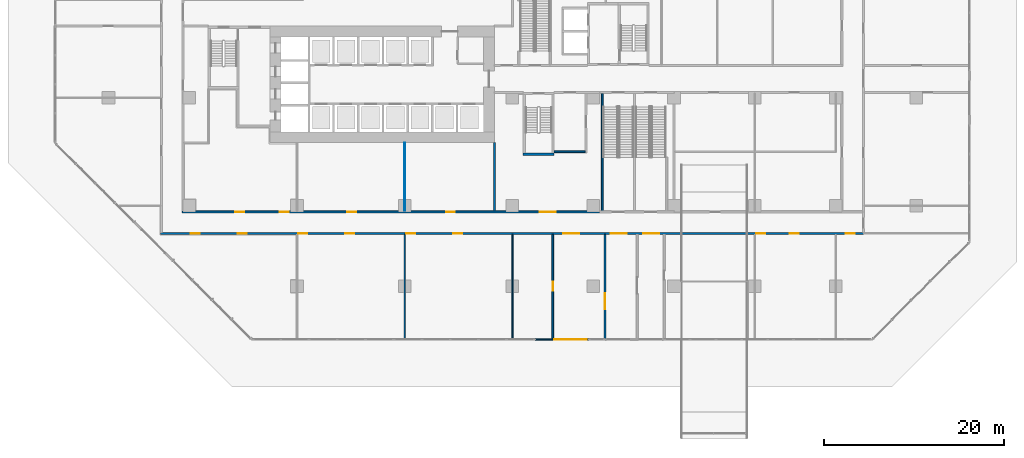
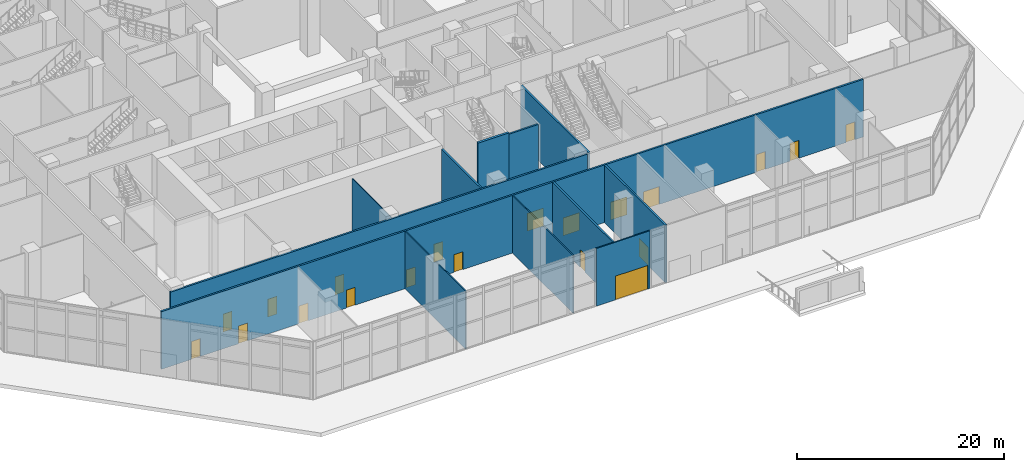
# One storey, part 17 of 34: 20 doors, 12 walls, 20 openings.
"""IFC4 building model written with IfcOpenShell, lengths in metres."""

from ifc_helpers import new_model, si_unit, direction, frame, frame_2d, origin, place, context, subcontext, project, spatial, rectangle, extrude, material, layer, layer_set, type_object, element, fill, save


model = new_model("IFC4")

# Units and contexts
model_context = context("Model", 3, precision=1e-05, world=origin(), true_north=direction((0.0, 1.0)))
body_context = subcontext(model_context, "Body", "Model", "MODEL_VIEW")
ifc_project = project(units=[si_unit("LENGTHUNIT", "METRE"), si_unit("AREAUNIT", "SQUARE_METRE"), si_unit("VOLUMEUNIT", "CUBIC_METRE"), si_unit("PLANEANGLEUNIT", "RADIAN"), si_unit("MASSUNIT", "GRAM", prefix="KILO")], contexts=[model_context])

# Site, building, storey
site_placement = place(None, origin())
site = spatial("IfcSite", under=ifc_project, at=site_placement, CompositionType="ELEMENT")
building_placement = place(site_placement, origin())
building = spatial("IfcBuilding", under=site, at=building_placement, Name="Chenar Terraces", CompositionType="ELEMENT")
storey_placement = place(building_placement, origin())
storey = spatial("IfcBuildingStorey", under=building, at=storey_placement, Name="L00", CompositionType="ELEMENT", Elevation=0.0)

# Walls
ifc_material_1 = material(Name="Gypsum board on steel studs with mineral wool", Category="steel")
ifc_layer_1 = layer(ifc_material_1, 0.125)
ifc_layer_set_1 = layer_set([ifc_layer_1], Name="Gypsum board on steel studs with mineral wool")
wall_type_1 = type_object("IfcWallType", Name="Acoustic partition 125", PredefinedType="PARTITIONING", material=ifc_layer_set_1)
for number, where, z_axis, x_axis, name in (
    (1, (24.0, -14.925048828125, 0.0), (0.0, 0.0, 1.0), (0.0, 1.0, 0.0), "Partition L00-075"),
    (2, (36.0, -14.925048828125, 0.0), (0.0, 0.0, 1.0), (0.0, 1.0, 0.0), "Partition L00-088"),
):
    element("IfcWall", number, at=place(storey_placement, frame(where, z_axis=z_axis, x_axis=x_axis)), inside=storey, type_object=wall_type_1, Name=name, PredefinedType="PARTITIONING", context=body_context, shape_type="SweptSolid", body=[
        extrude(rectangle(XDim=11.72509765625, YDim=0.125, at=frame_2d((5.862548828125, 0.0))), origin(), (0.0, 0.0, 1.0), 6.800048828125),
    ])
ifc_material_2 = material(Name="Concrete C70/85", Category="concrete")
ifc_layer_2 = layer(ifc_material_2, 0.25)
ifc_layer_set_2 = layer_set([ifc_layer_2], Name="Concrete C70/85")
wall_type_2 = type_object("IfcWallType", Name="Core wall 250 Concrete C70/85", PredefinedType="SHEAR", material=ifc_layer_set_2)
wall_1_placement = place(storey_placement, frame((37.199951171875, 5.72509765625, 0.0), z_axis=(0.0, 0.0, 1.0), x_axis=(1.0, 0.0, 0.0)))
element("IfcWall", 3, at=wall_1_placement, inside=storey, type_object=wall_type_2, Name="Core wall ST2_S L00", PredefinedType="SHEAR", context=body_context, shape_type="SweptSolid", body=[
    extrude(rectangle(XDim=3.449951171875, YDim=0.25, at=frame_2d((1.72509765625, 0.0))), origin(), (0.0, 0.0, 1.0), 7.199951171875),
])

# Wall, openings, doors
ifc_material_3 = material(Name="Gypsum board on steel studs with fire boards", Category="steel")
ifc_layer_3 = layer(ifc_material_3, 0.199951171875)
ifc_layer_set_3 = layer_set([ifc_layer_3], Name="Gypsum board on steel studs with fire boards")
wall_type_3 = type_object("IfcWallType", Name="Corridor wall 200", PredefinedType="PARTITIONING", material=ifc_layer_set_3)
wall_2_placement = place(storey_placement, frame((-3.199951171875, -3.10009765625, 0.0), z_axis=(0.0, 0.0, 1.0), x_axis=(1.0, 0.0, 0.0)))
wall_2 = element("IfcWall", 4, at=wall_2_placement, inside=storey, type_object=wall_type_3, Name="Partition L00-015", PredefinedType="PARTITIONING", context=body_context, shape_type="SweptSolid", body=[
    extrude(rectangle(XDim=78.300048828125, YDim=0.199951171875, at=frame_2d((39.14990234375, 0.0))), origin(), (0.0, 0.0, 1.0), 6.800048828125),
])
opening_1_placement = place(wall_2_placement, frame((70.10009765625, 0.0, 0.0)))
opening_1 = element("IfcOpeningElement", 5, at=opening_1_placement, cuts=wall_2, Name="Opening DL00-62", PredefinedType="OPENING", context=body_context, shape_type="SweptSolid", body=[
    extrude(rectangle(XDim=1.0, YDim=2.10009765625, at=frame_2d((0.5, 1.050048828125))), frame((0.0, 0.10986328125, 0.0), z_axis=(0.0, -1.0, 0.0), x_axis=(1.0, 0.0, 0.0)), (0.0, 0.0, 1.0), 0.219970703125),
])
opening_2_placement = place(wall_2_placement, frame((66.35009765625, 0.0, 0.0)))
opening_2 = element("IfcOpeningElement", 6, at=opening_2_placement, cuts=wall_2, Name="Opening DL00-63", PredefinedType="OPENING", context=body_context, shape_type="SweptSolid", body=[
    extrude(rectangle(XDim=1.0, YDim=2.10009765625, at=frame_2d((0.5, 1.050048828125))), frame((0.0, 0.10986328125, 0.0), z_axis=(0.0, -1.0, 0.0), x_axis=(1.0, 0.0, 0.0)), (0.0, 0.0, 1.0), 0.219970703125),
])
opening_3_placement = place(wall_2_placement, frame((76.35009765625, 0.0, 0.0)))
opening_3 = element("IfcOpeningElement", 7, at=opening_3_placement, cuts=wall_2, Name="Opening DL00-64", PredefinedType="OPENING", context=body_context, shape_type="SweptSolid", body=[
    extrude(rectangle(XDim=1.0, YDim=2.10009765625, at=frame_2d((0.5, 1.050048828125))), frame((0.0, 0.10986328125, 0.0), z_axis=(0.0, -1.0, 0.0), x_axis=(1.0, 0.0, 0.0)), (0.0, 0.0, 1.0), 0.219970703125),
])
opening_4_placement = place(wall_2_placement, frame((8.60009765625, 0.0, 0.0)))
opening_4 = element("IfcOpeningElement", 8, at=opening_4_placement, cuts=wall_2, Name="Opening DL00-65", PredefinedType="OPENING", context=body_context, shape_type="SweptSolid", body=[
    extrude(rectangle(XDim=1.0, YDim=2.10009765625, at=frame_2d((0.5, 1.050048828125))), frame((0.0, 0.10986328125, 0.0), z_axis=(0.0, -1.0, 0.0), x_axis=(1.0, 0.0, 0.0)), (0.0, 0.0, 1.0), 0.219970703125),
])
opening_5_placement = place(wall_2_placement, frame((3.35009765625, 0.0, 0.0)))
opening_5 = element("IfcOpeningElement", 9, at=opening_5_placement, cuts=wall_2, Name="Opening DL00-66", PredefinedType="OPENING", context=body_context, shape_type="SweptSolid", body=[
    extrude(rectangle(XDim=1.0, YDim=2.10009765625, at=frame_2d((0.5, 1.050048828125))), frame((0.0, 0.10986328125, 0.0), z_axis=(0.0, -1.0, 0.0), x_axis=(1.0, 0.0, 0.0)), (0.0, 0.0, 1.0), 0.219970703125),
])
opening_6_placement = place(wall_2_placement, frame((20.60009765625, 0.0, 0.0)))
opening_6 = element("IfcOpeningElement", 10, at=opening_6_placement, cuts=wall_2, Name="Opening DL00-67", PredefinedType="OPENING", context=body_context, shape_type="SweptSolid", body=[
    extrude(rectangle(XDim=1.0, YDim=2.10009765625, at=frame_2d((0.5, 1.050048828125))), frame((0.0, 0.10986328125, 0.0), z_axis=(0.0, -1.0, 0.0), x_axis=(1.0, 0.0, 0.0)), (0.0, 0.0, 1.0), 0.219970703125),
])
opening_7_placement = place(wall_2_placement, frame((15.35009765625, 0.0, 0.0)))
opening_7 = element("IfcOpeningElement", 11, at=opening_7_placement, cuts=wall_2, Name="Opening DL00-68", PredefinedType="OPENING", context=body_context, shape_type="SweptSolid", body=[
    extrude(rectangle(XDim=1.0, YDim=2.10009765625, at=frame_2d((0.5, 1.050048828125))), frame((0.0, 0.10986328125, 0.0), z_axis=(0.0, -1.0, 0.0), x_axis=(1.0, 0.0, 0.0)), (0.0, 0.0, 1.0), 0.219970703125),
])
opening_8_placement = place(wall_2_placement, frame((32.60009765625, 0.0, 0.0)))
opening_8 = element("IfcOpeningElement", 12, at=opening_8_placement, cuts=wall_2, Name="Opening DL00-69", PredefinedType="OPENING", context=body_context, shape_type="SweptSolid", body=[
    extrude(rectangle(XDim=1.0, YDim=2.10009765625, at=frame_2d((0.5, 1.050048828125))), frame((0.0, 0.10986328125, 0.0), z_axis=(0.0, -1.0, 0.0), x_axis=(1.0, 0.0, 0.0)), (0.0, 0.0, 1.0), 0.219970703125),
])
opening_9_placement = place(wall_2_placement, frame((27.35009765625, 0.0, 0.0)))
opening_9 = element("IfcOpeningElement", 13, at=opening_9_placement, cuts=wall_2, Name="Opening DL00-70", PredefinedType="OPENING", context=body_context, shape_type="SweptSolid", body=[
    extrude(rectangle(XDim=1.0, YDim=2.10009765625, at=frame_2d((0.5, 1.050048828125))), frame((0.0, 0.10986328125, 0.0), z_axis=(0.0, -1.0, 0.0), x_axis=(1.0, 0.0, 0.0)), (0.0, 0.0, 1.0), 0.219970703125),
])
opening_10_placement = place(wall_2_placement, frame((44.85009765625, 0.0, 0.0)))
opening_10 = element("IfcOpeningElement", 14, at=opening_10_placement, cuts=wall_2, Name="Opening DL00-102", PredefinedType="OPENING", context=body_context, shape_type="SweptSolid", body=[
    extrude(rectangle(XDim=1.800048828125, YDim=2.10009765625, at=frame_2d((0.89990234375, 1.050048828125))), frame((0.0, 0.10986328125, 0.0), z_axis=(0.0, -1.0, 0.0), x_axis=(1.0, 0.0, 0.0)), (0.0, 0.0, 1.0), 0.219970703125),
])
opening_11_placement = place(wall_2_placement, frame((50.14990234375, 0.0, 0.0)))
opening_11 = element("IfcOpeningElement", 15, at=opening_11_placement, cuts=wall_2, Name="Opening DL00-105", PredefinedType="OPENING", context=body_context, shape_type="SweptSolid", body=[
    extrude(rectangle(XDim=1.800048828125, YDim=2.10009765625, at=frame_2d((0.89990234375, 1.050048828125))), frame((0.0, 0.10986328125, 0.0), z_axis=(0.0, -1.0, 0.0), x_axis=(1.0, 0.0, 0.0)), (0.0, 0.0, 1.0), 0.219970703125),
])
opening_12_placement = place(wall_2_placement, frame((53.75, 0.0, 0.0)))
opening_12 = element("IfcOpeningElement", 16, at=opening_12_placement, cuts=wall_2, Name="Opening DL00-106", PredefinedType="OPENING", context=body_context, shape_type="SweptSolid", body=[
    extrude(rectangle(XDim=1.800048828125, YDim=2.10009765625, at=frame_2d((0.89990234375, 1.050048828125))), frame((0.0, 0.10986328125, 0.0), z_axis=(0.0, -1.0, 0.0), x_axis=(1.0, 0.0, 0.0)), (0.0, 0.0, 1.0), 0.219970703125),
])
ifc_material_4 = material(Name="Steel-framed fire-resisting door leaf", Category="steel")
door_type_1 = type_object("IfcDoorType", Name="Fire door FD60 1000 x 2100", OperationType="SINGLE_SWING_LEFT", PredefinedType="DOOR", material=ifc_material_4)
door_1_placement = place(opening_1_placement, frame((1.0, 0.0, 0.0), z_axis=(0.0, 0.0, 1.0), x_axis=(-1.0, 0.0, 0.0)))
door_1 = element("IfcDoor", 17, at=door_1_placement, inside=storey, type_object=door_type_1, Name="Door DL00-62", OperationType="SINGLE_SWING_RIGHT", OverallHeight=2.10009765625, OverallWidth=1.0, PredefinedType="DOOR", context=body_context, shape_type="SweptSolid", body=[
    extrude(rectangle(XDim=1.0, YDim=2.10009765625, at=frame_2d((0.5, 1.050048828125))), frame((0.0, 0.02490234375, 0.0), z_axis=(0.0, -1.0, 0.0), x_axis=(1.0, 0.0, 0.0)), (0.0, 0.0, 1.0), 0.050048828125),
])
fill(opening_1, door_1)
door_2_placement = place(opening_2_placement, frame((1.0, 0.0, 0.0), z_axis=(0.0, 0.0, 1.0), x_axis=(-1.0, 0.0, 0.0)))
door_2 = element("IfcDoor", 18, at=door_2_placement, inside=storey, type_object=door_type_1, Name="Door DL00-63", OperationType="SINGLE_SWING_RIGHT", OverallHeight=2.10009765625, OverallWidth=1.0, PredefinedType="DOOR", context=body_context, shape_type="SweptSolid", body=[
    extrude(rectangle(XDim=1.0, YDim=2.10009765625, at=frame_2d((0.5, 1.050048828125))), frame((0.0, 0.02490234375, 0.0), z_axis=(0.0, -1.0, 0.0), x_axis=(1.0, 0.0, 0.0)), (0.0, 0.0, 1.0), 0.050048828125),
])
fill(opening_2, door_2)
door_3_placement = place(opening_3_placement, frame((1.0, 0.0, 0.0), z_axis=(0.0, 0.0, 1.0), x_axis=(-1.0, 0.0, 0.0)))
door_3 = element("IfcDoor", 19, at=door_3_placement, inside=storey, type_object=door_type_1, Name="Door DL00-64", OperationType="SINGLE_SWING_RIGHT", OverallHeight=2.10009765625, OverallWidth=1.0, PredefinedType="DOOR", context=body_context, shape_type="SweptSolid", body=[
    extrude(rectangle(XDim=1.0, YDim=2.10009765625, at=frame_2d((0.5, 1.050048828125))), frame((0.0, 0.02490234375, 0.0), z_axis=(0.0, -1.0, 0.0), x_axis=(1.0, 0.0, 0.0)), (0.0, 0.0, 1.0), 0.050048828125),
])
fill(opening_3, door_3)
door_4_placement = place(opening_4_placement, frame((1.0, 0.0, 0.0), z_axis=(0.0, 0.0, 1.0), x_axis=(-1.0, 0.0, 0.0)))
door_4 = element("IfcDoor", 20, at=door_4_placement, inside=storey, type_object=door_type_1, Name="Door DL00-65", OperationType="SINGLE_SWING_LEFT", OverallHeight=2.10009765625, OverallWidth=1.0, PredefinedType="DOOR", context=body_context, shape_type="SweptSolid", body=[
    extrude(rectangle(XDim=1.0, YDim=2.10009765625, at=frame_2d((0.5, 1.050048828125))), frame((0.0, 0.02490234375, 0.0), z_axis=(0.0, -1.0, 0.0), x_axis=(1.0, 0.0, 0.0)), (0.0, 0.0, 1.0), 0.050048828125),
])
fill(opening_4, door_4)
door_5_placement = place(opening_5_placement, frame((1.0, 0.0, 0.0), z_axis=(0.0, 0.0, 1.0), x_axis=(-1.0, 0.0, 0.0)))
door_5 = element("IfcDoor", 21, at=door_5_placement, inside=storey, type_object=door_type_1, Name="Door DL00-66", OperationType="SINGLE_SWING_LEFT", OverallHeight=2.10009765625, OverallWidth=1.0, PredefinedType="DOOR", context=body_context, shape_type="SweptSolid", body=[
    extrude(rectangle(XDim=1.0, YDim=2.10009765625, at=frame_2d((0.5, 1.050048828125))), frame((0.0, 0.02490234375, 0.0), z_axis=(0.0, -1.0, 0.0), x_axis=(1.0, 0.0, 0.0)), (0.0, 0.0, 1.0), 0.050048828125),
])
fill(opening_5, door_5)
door_6_placement = place(opening_6_placement, frame((1.0, 0.0, 0.0), z_axis=(0.0, 0.0, 1.0), x_axis=(-1.0, 0.0, 0.0)))
door_6 = element("IfcDoor", 22, at=door_6_placement, inside=storey, type_object=door_type_1, Name="Door DL00-67", OperationType="SINGLE_SWING_LEFT", OverallHeight=2.10009765625, OverallWidth=1.0, PredefinedType="DOOR", context=body_context, shape_type="SweptSolid", body=[
    extrude(rectangle(XDim=1.0, YDim=2.10009765625, at=frame_2d((0.5, 1.050048828125))), frame((0.0, 0.02490234375, 0.0), z_axis=(0.0, -1.0, 0.0), x_axis=(1.0, 0.0, 0.0)), (0.0, 0.0, 1.0), 0.050048828125),
])
fill(opening_6, door_6)
door_7_placement = place(opening_7_placement, frame((1.0, 0.0, 0.0), z_axis=(0.0, 0.0, 1.0), x_axis=(-1.0, 0.0, 0.0)))
door_7 = element("IfcDoor", 23, at=door_7_placement, inside=storey, type_object=door_type_1, Name="Door DL00-68", OperationType="SINGLE_SWING_RIGHT", OverallHeight=2.10009765625, OverallWidth=1.0, PredefinedType="DOOR", context=body_context, shape_type="SweptSolid", body=[
    extrude(rectangle(XDim=1.0, YDim=2.10009765625, at=frame_2d((0.5, 1.050048828125))), frame((0.0, 0.02490234375, 0.0), z_axis=(0.0, -1.0, 0.0), x_axis=(1.0, 0.0, 0.0)), (0.0, 0.0, 1.0), 0.050048828125),
])
fill(opening_7, door_7)
door_8_placement = place(opening_8_placement, frame((1.0, 0.0, 0.0), z_axis=(0.0, 0.0, 1.0), x_axis=(-1.0, 0.0, 0.0)))
door_8 = element("IfcDoor", 24, at=door_8_placement, inside=storey, type_object=door_type_1, Name="Door DL00-69", OperationType="SINGLE_SWING_LEFT", OverallHeight=2.10009765625, OverallWidth=1.0, PredefinedType="DOOR", context=body_context, shape_type="SweptSolid", body=[
    extrude(rectangle(XDim=1.0, YDim=2.10009765625, at=frame_2d((0.5, 1.050048828125))), frame((0.0, 0.02490234375, 0.0), z_axis=(0.0, -1.0, 0.0), x_axis=(1.0, 0.0, 0.0)), (0.0, 0.0, 1.0), 0.050048828125),
])
fill(opening_8, door_8)
door_9_placement = place(opening_9_placement, frame((1.0, 0.0, 0.0), z_axis=(0.0, 0.0, 1.0), x_axis=(-1.0, 0.0, 0.0)))
door_9 = element("IfcDoor", 25, at=door_9_placement, inside=storey, type_object=door_type_1, Name="Door DL00-70", OperationType="SINGLE_SWING_RIGHT", OverallHeight=2.10009765625, OverallWidth=1.0, PredefinedType="DOOR", context=body_context, shape_type="SweptSolid", body=[
    extrude(rectangle(XDim=1.0, YDim=2.10009765625, at=frame_2d((0.5, 1.050048828125))), frame((0.0, 0.02490234375, 0.0), z_axis=(0.0, -1.0, 0.0), x_axis=(1.0, 0.0, 0.0)), (0.0, 0.0, 1.0), 0.050048828125),
])
fill(opening_9, door_9)
ifc_material_5 = material(Name="Steel-framed fire-resisting door leaf", Category="steel")
door_type_2 = type_object("IfcDoorType", Name="Fire double door FD60 1800 x 2100", OperationType="DOUBLE_DOOR_SINGLE_SWING", PredefinedType="DOOR", material=ifc_material_5)
door_10_placement = place(opening_10_placement, frame((1.800048828125, 0.0, 0.0), z_axis=(0.0, 0.0, 1.0), x_axis=(-1.0, 0.0, 0.0)))
door_10 = element("IfcDoor", 26, at=door_10_placement, inside=storey, type_object=door_type_2, Name="Door DL00-102", OperationType="DOUBLE_DOOR_SINGLE_SWING", OverallHeight=2.10009765625, OverallWidth=1.800048828125, PredefinedType="DOOR", context=body_context, shape_type="SweptSolid", body=[
    extrude(rectangle(XDim=1.800048828125, YDim=2.10009765625, at=frame_2d((0.89990234375, 1.050048828125))), frame((0.0, 0.02490234375, 0.0), z_axis=(0.0, -1.0, 0.0), x_axis=(1.0, 0.0, 0.0)), (0.0, 0.0, 1.0), 0.050048828125),
])
fill(opening_10, door_10)
door_11_placement = place(opening_11_placement, frame((1.800048828125, 0.0, 0.0), z_axis=(0.0, 0.0, 1.0), x_axis=(-1.0, 0.0, 0.0)))
door_11 = element("IfcDoor", 27, at=door_11_placement, inside=storey, type_object=door_type_2, Name="Door DL00-105", OperationType="DOUBLE_DOOR_SINGLE_SWING", OverallHeight=2.10009765625, OverallWidth=1.800048828125, PredefinedType="DOOR", context=body_context, shape_type="SweptSolid", body=[
    extrude(rectangle(XDim=1.800048828125, YDim=2.10009765625, at=frame_2d((0.89990234375, 1.050048828125))), frame((0.0, 0.02490234375, 0.0), z_axis=(0.0, -1.0, 0.0), x_axis=(1.0, 0.0, 0.0)), (0.0, 0.0, 1.0), 0.050048828125),
])
fill(opening_11, door_11)
door_12_placement = place(opening_12_placement, frame((1.800048828125, 0.0, 0.0), z_axis=(0.0, 0.0, 1.0), x_axis=(-1.0, 0.0, 0.0)))
door_12 = element("IfcDoor", 28, at=door_12_placement, inside=storey, type_object=door_type_2, Name="Door DL00-106", OperationType="DOUBLE_DOOR_SINGLE_SWING", OverallHeight=2.10009765625, OverallWidth=1.800048828125, PredefinedType="DOOR", context=body_context, shape_type="SweptSolid", body=[
    extrude(rectangle(XDim=1.800048828125, YDim=2.10009765625, at=frame_2d((0.89990234375, 1.050048828125))), frame((0.0, 0.02490234375, 0.0), z_axis=(0.0, -1.0, 0.0), x_axis=(1.0, 0.0, 0.0)), (0.0, 0.0, 1.0), 0.050048828125),
])
fill(opening_12, door_12)

wall_3_placement = place(storey_placement, frame((-0.800048828125, -0.699951171875, 0.0), z_axis=(0.0, 0.0, 1.0), x_axis=(1.0, 0.0, 0.0)))
wall_3 = element("IfcWall", 29, at=wall_3_placement, inside=storey, type_object=wall_type_3, Name="Partition L00-019", PredefinedType="PARTITIONING", context=body_context, shape_type="SweptSolid", body=[
    extrude(rectangle(XDim=46.5, YDim=0.199951171875, at=frame_2d((23.25, 0.0))), origin(), (0.0, 0.0, 1.0), 6.800048828125),
])
opening_13_placement = place(wall_3_placement, frame((39.85009765625, 0.0, 0.0)))
opening_13 = element("IfcOpeningElement", 30, at=opening_13_placement, cuts=wall_3, Name="Opening DL00-44", PredefinedType="OPENING", context=body_context, shape_type="SweptSolid", body=[
    extrude(rectangle(XDim=1.800048828125, YDim=2.10009765625, at=frame_2d((0.89990234375, 1.050048828125))), frame((0.0, 0.10986328125, 0.0), z_axis=(0.0, -1.0, 0.0), x_axis=(1.0, 0.0, 0.0)), (0.0, 0.0, 1.0), 0.219970703125),
])
opening_14_placement = place(wall_3_placement, frame((5.89990234375, 0.0, 0.0)))
opening_14 = element("IfcOpeningElement", 31, at=opening_14_placement, cuts=wall_3, Name="Opening DL00-45", PredefinedType="OPENING", context=body_context, shape_type="SweptSolid", body=[
    extrude(rectangle(XDim=1.0, YDim=2.10009765625, at=frame_2d((0.5, 1.050048828125))), frame((0.0, 0.10986328125, 0.0), z_axis=(0.0, -1.0, 0.0), x_axis=(1.0, 0.0, 0.0)), (0.0, 0.0, 1.0), 0.219970703125),
])
opening_15_placement = place(wall_3_placement, frame((10.89990234375, 0.0, 0.0)))
opening_15 = element("IfcOpeningElement", 32, at=opening_15_placement, cuts=wall_3, Name="Opening DL00-46", PredefinedType="OPENING", context=body_context, shape_type="SweptSolid", body=[
    extrude(rectangle(XDim=1.0, YDim=2.10009765625, at=frame_2d((0.5, 1.050048828125))), frame((0.0, 0.10986328125, 0.0), z_axis=(0.0, -1.0, 0.0), x_axis=(1.0, 0.0, 0.0)), (0.0, 0.0, 1.0), 0.219970703125),
])
opening_16_placement = place(wall_3_placement, frame((18.39990234375, 0.0, 0.0)))
opening_16 = element("IfcOpeningElement", 33, at=opening_16_placement, cuts=wall_3, Name="Opening DL00-47", PredefinedType="OPENING", context=body_context, shape_type="SweptSolid", body=[
    extrude(rectangle(XDim=1.0, YDim=2.10009765625, at=frame_2d((0.5, 1.050048828125))), frame((0.0, 0.10986328125, 0.0), z_axis=(0.0, -1.0, 0.0), x_axis=(1.0, 0.0, 0.0)), (0.0, 0.0, 1.0), 0.219970703125),
])
opening_17_placement = place(wall_3_placement, frame((29.39990234375, 0.0, 0.0)))
opening_17 = element("IfcOpeningElement", 34, at=opening_17_placement, cuts=wall_3, Name="Opening DL00-48", PredefinedType="OPENING", context=body_context, shape_type="SweptSolid", body=[
    extrude(rectangle(XDim=1.0, YDim=2.10009765625, at=frame_2d((0.5, 1.050048828125))), frame((0.0, 0.10986328125, 0.0), z_axis=(0.0, -1.0, 0.0), x_axis=(1.0, 0.0, 0.0)), (0.0, 0.0, 1.0), 0.219970703125),
])
door_13_placement = place(opening_14_placement, origin())
door_13 = element("IfcDoor", 35, at=door_13_placement, inside=storey, type_object=door_type_1, Name="Door DL00-45", OperationType="SINGLE_SWING_LEFT", OverallHeight=2.10009765625, OverallWidth=1.0, PredefinedType="DOOR", context=body_context, shape_type="SweptSolid", body=[
    extrude(rectangle(XDim=1.0, YDim=2.10009765625, at=frame_2d((0.5, 1.050048828125))), frame((0.0, 0.02490234375, 0.0), z_axis=(0.0, -1.0, 0.0), x_axis=(1.0, 0.0, 0.0)), (0.0, 0.0, 1.0), 0.050048828125),
])
fill(opening_14, door_13)
door_14_placement = place(opening_15_placement, origin())
door_14 = element("IfcDoor", 36, at=door_14_placement, inside=storey, type_object=door_type_1, Name="Door DL00-46", OperationType="SINGLE_SWING_RIGHT", OverallHeight=2.10009765625, OverallWidth=1.0, PredefinedType="DOOR", context=body_context, shape_type="SweptSolid", body=[
    extrude(rectangle(XDim=1.0, YDim=2.10009765625, at=frame_2d((0.5, 1.050048828125))), frame((0.0, 0.02490234375, 0.0), z_axis=(0.0, -1.0, 0.0), x_axis=(1.0, 0.0, 0.0)), (0.0, 0.0, 1.0), 0.050048828125),
])
fill(opening_15, door_14)
door_15_placement = place(opening_16_placement, origin())
door_15 = element("IfcDoor", 37, at=door_15_placement, inside=storey, type_object=door_type_1, Name="Door DL00-47", OperationType="SINGLE_SWING_RIGHT", OverallHeight=2.10009765625, OverallWidth=1.0, PredefinedType="DOOR", context=body_context, shape_type="SweptSolid", body=[
    extrude(rectangle(XDim=1.0, YDim=2.10009765625, at=frame_2d((0.5, 1.050048828125))), frame((0.0, 0.02490234375, 0.0), z_axis=(0.0, -1.0, 0.0), x_axis=(1.0, 0.0, 0.0)), (0.0, 0.0, 1.0), 0.050048828125),
])
fill(opening_16, door_15)
door_16_placement = place(opening_17_placement, origin())
door_16 = element("IfcDoor", 38, at=door_16_placement, inside=storey, type_object=door_type_1, Name="Door DL00-48", OperationType="SINGLE_SWING_RIGHT", OverallHeight=2.10009765625, OverallWidth=1.0, PredefinedType="DOOR", context=body_context, shape_type="SweptSolid", body=[
    extrude(rectangle(XDim=1.0, YDim=2.10009765625, at=frame_2d((0.5, 1.050048828125))), frame((0.0, 0.02490234375, 0.0), z_axis=(0.0, -1.0, 0.0), x_axis=(1.0, 0.0, 0.0)), (0.0, 0.0, 1.0), 0.050048828125),
])
fill(opening_17, door_16)
door_17_placement = place(opening_13_placement, origin())
door_17 = element("IfcDoor", 39, at=door_17_placement, inside=storey, type_object=door_type_2, Name="Door DL00-44", OperationType="DOUBLE_DOOR_SINGLE_SWING", OverallHeight=2.10009765625, OverallWidth=1.800048828125, PredefinedType="DOOR", context=body_context, shape_type="SweptSolid", body=[
    extrude(rectangle(XDim=1.800048828125, YDim=2.10009765625, at=frame_2d((0.89990234375, 1.050048828125))), frame((0.0, 0.02490234375, 0.0), z_axis=(0.0, -1.0, 0.0), x_axis=(1.0, 0.0, 0.0)), (0.0, 0.0, 1.0), 0.050048828125),
])
fill(opening_13, door_17)

# Wall
wall_4_placement = place(storey_placement, frame((34.0, -0.60009765625, 0.0), z_axis=(0.0, 0.0, 1.0), x_axis=(0.0, 1.0, 0.0)))
element("IfcWall", 40, at=wall_4_placement, inside=storey, type_object=wall_type_3, Name="Partition L00-084", PredefinedType="PARTITIONING", context=body_context, shape_type="SweptSolid", body=[
    extrude(rectangle(XDim=7.60009765625, YDim=0.199951171875, at=frame_2d((3.800048828125, 0.0))), origin(), (0.0, 0.0, 1.0), 6.800048828125),
])

# Wall, opening, door
wall_5_placement = place(storey_placement, frame((40.5, -14.85107421875, 0.0), z_axis=(0.0, 0.0, 1.0), x_axis=(0.0, 1.0, 0.0)))
wall_5 = element("IfcWall", 41, at=wall_5_placement, inside=storey, type_object=wall_type_3, Name="Partition L00-099", PredefinedType="PARTITIONING", context=body_context, shape_type="SweptSolid", body=[
    extrude(rectangle(XDim=11.651123046875, YDim=0.199951171875, at=frame_2d((5.82568359375, 0.0))), origin(), (0.0, 0.0, 1.0), 6.800048828125),
])
opening_18_placement = place(wall_5_placement, frame((5.35107421875, 0.0, 0.0)))
opening_18 = element("IfcOpeningElement", 42, at=opening_18_placement, cuts=wall_5, Name="Opening DL00-71", PredefinedType="OPENING", context=body_context, shape_type="SweptSolid", body=[
    extrude(rectangle(XDim=1.0, YDim=2.10009765625, at=frame_2d((0.5, 1.050048828125))), frame((0.0, 0.10986328125, 0.0), z_axis=(0.0, -1.0, 0.0), x_axis=(1.0, 0.0, 0.0)), (0.0, 0.0, 1.0), 0.219970703125),
])
door_18_placement = place(opening_18_placement, origin())
door_18 = element("IfcDoor", 43, at=door_18_placement, inside=storey, type_object=door_type_1, Name="Door DL00-71", OperationType="SINGLE_SWING_RIGHT", OverallHeight=2.10009765625, OverallWidth=1.0, PredefinedType="DOOR", context=body_context, shape_type="SweptSolid", body=[
    extrude(rectangle(XDim=1.0, YDim=2.10009765625, at=frame_2d((0.5, 1.050048828125))), frame((0.0, 0.02490234375, 0.0), z_axis=(0.0, -1.0, 0.0), x_axis=(1.0, 0.0, 0.0)), (0.0, 0.0, 1.0), 0.050048828125),
])
fill(opening_18, door_18)

# Wall
wall_6_placement = place(storey_placement, frame((40.64990234375, 6.0, 0.0), z_axis=(0.0, 0.0, 1.0), x_axis=(1.0, 0.0, 0.0)))
element("IfcWall", 44, at=wall_6_placement, inside=storey, type_object=wall_type_3, Name="Partition L00-100", PredefinedType="PARTITIONING", context=body_context, shape_type="SweptSolid", body=[
    extrude(rectangle(XDim=3.4501953125, YDim=0.199951171875, at=frame_2d((1.72509765625, 0.0))), origin(), (0.0, 0.0, 1.0), 6.800048828125),
])

# Wall, opening, door
wall_7_placement = place(storey_placement, frame((46.300048828125, -14.925048828125, 0.0), z_axis=(0.0, 0.0, 1.0), x_axis=(0.0, 1.0, 0.0)))
wall_7 = element("IfcWall", 45, at=wall_7_placement, inside=storey, type_object=wall_type_3, Name="Partition L00-108", PredefinedType="PARTITIONING", context=body_context, shape_type="SweptSolid", body=[
    extrude(rectangle(XDim=11.72509765625, YDim=0.199951171875, at=frame_2d((5.862548828125, 0.0))), origin(), (0.0, 0.0, 1.0), 6.800048828125),
])
opening_19_placement = place(wall_7_placement, frame((3.375, 0.0, 0.0)))
opening_19 = element("IfcOpeningElement", 46, at=opening_19_placement, cuts=wall_7, Name="Opening DL00-101", PredefinedType="OPENING", context=body_context, shape_type="SweptSolid", body=[
    extrude(rectangle(XDim=1.800048828125, YDim=2.10009765625, at=frame_2d((0.89990234375, 1.050048828125))), frame((0.0, 0.10986328125, 0.0), z_axis=(0.0, -1.0, 0.0), x_axis=(1.0, 0.0, 0.0)), (0.0, 0.0, 1.0), 0.219970703125),
])
door_19_placement = place(opening_19_placement, frame((1.800048828125, 0.0, 0.0), z_axis=(0.0, 0.0, 1.0), x_axis=(-1.0, 0.0, 0.0)))
door_19 = element("IfcDoor", 47, at=door_19_placement, inside=storey, type_object=door_type_2, Name="Door DL00-101", OperationType="DOUBLE_DOOR_SINGLE_SWING", OverallHeight=2.10009765625, OverallWidth=1.800048828125, PredefinedType="DOOR", context=body_context, shape_type="SweptSolid", body=[
    extrude(rectangle(XDim=1.800048828125, YDim=2.10009765625, at=frame_2d((0.89990234375, 1.050048828125))), frame((0.0, 0.02490234375, 0.0), z_axis=(0.0, -1.0, 0.0), x_axis=(1.0, 0.0, 0.0)), (0.0, 0.0, 1.0), 0.050048828125),
])
fill(opening_19, door_19)

ifc_material_6 = material(Name="Terracotta cladding on insulated backing", Category="masonry")
ifc_layer_4 = layer(ifc_material_6, 0.14990234375)
ifc_layer_set_4 = layer_set([ifc_layer_4], Name="Terracotta cladding on insulated backing")
wall_type_4 = type_object("IfcWallType", Name="Entrance wall 150", PredefinedType="SOLIDWALL", material=ifc_layer_set_4)
wall_8_placement = place(storey_placement, frame((38.5, -14.925048828125, 0.0), z_axis=(0.0, 0.0, 1.0), x_axis=(1.0, 0.0, 0.0)))
wall_8 = element("IfcWall", 48, at=wall_8_placement, inside=storey, type_object=wall_type_4, Name="Entrance wall", PredefinedType="SOLIDWALL", context=body_context, shape_type="SweptSolid", body=[
    extrude(rectangle(XDim=6.0, YDim=0.14990234375, at=frame_2d((3.0, 0.0))), origin(), (0.0, 0.0, 1.0), 6.800048828125),
])
opening_20_placement = place(wall_8_placement, frame((2.14990234375, 0.0, 0.0)))
opening_20 = element("IfcOpeningElement", 49, at=opening_20_placement, cuts=wall_8, Name="Opening DL00-E6", PredefinedType="OPENING", context=body_context, shape_type="SweptSolid", body=[
    extrude(rectangle(XDim=3.60009765625, YDim=2.800048828125, at=frame_2d((1.800048828125, 1.39990234375))), frame((0.0, 0.0849609375, 0.0), z_axis=(0.0, -1.0, 0.0), x_axis=(1.0, 0.0, 0.0)), (0.0, 0.0, 1.0), 0.169921875),
])
ifc_material_7 = material(Name="Low emissivity double glazing, aluminium frame", Category="aluminium")
door_type_3 = type_object("IfcDoorType", Name="Entrance door set 3600 x 2800", OperationType="DOUBLE_DOOR_SINGLE_SWING", PredefinedType="DOOR", material=ifc_material_7)
door_20_placement = place(opening_20_placement, frame((3.60009765625, 0.0, 0.0), z_axis=(0.0, 0.0, 1.0), x_axis=(-1.0, 0.0, 0.0)))
door_20 = element("IfcDoor", 50, at=door_20_placement, inside=storey, type_object=door_type_3, Name="Entrance door", OperationType="DOUBLE_DOOR_SINGLE_SWING", OverallHeight=2.800048828125, OverallWidth=3.60009765625, PredefinedType="DOOR", context=body_context, shape_type="SweptSolid", body=[
    extrude(rectangle(XDim=3.60009765625, YDim=2.800048828125, at=frame_2d((1.800048828125, 1.39990234375))), frame((0.0, 0.02490234375, 0.0), z_axis=(0.0, -1.0, 0.0), x_axis=(1.0, 0.0, 0.0)), (0.0, 0.0, 1.0), 0.050048828125),
])
fill(opening_20, door_20)

# Walls
ifc_material_8 = material(Name="Gypsum board on steel studs", Category="steel")
ifc_layer_5 = layer(ifc_material_8, 0.10009765625)
ifc_layer_set_5 = layer_set([ifc_layer_5], Name="Gypsum board on steel studs")
wall_type_5 = type_object("IfcWallType", Name="Gypsum partition 100", PredefinedType="PARTITIONING", material=ifc_layer_set_5)
wall_9_placement = place(storey_placement, frame((24.0, -0.60009765625, 0.0), z_axis=(0.0, 0.0, 1.0), x_axis=(0.0, 1.0, 0.0)))
element("IfcWall", 51, at=wall_9_placement, inside=storey, type_object=wall_type_5, Name="Partition L00-076", PredefinedType="PARTITIONING", context=body_context, shape_type="SweptSolid", body=[
    extrude(rectangle(XDim=7.60009765625, YDim=0.10009765625, at=frame_2d((3.800048828125, 0.0))), origin(), (0.0, 0.0, 1.0), 6.800048828125),
])
ifc_material_9 = material(Name="Reinforced concrete C40/50", Category="concrete")
ifc_layer_6 = layer(ifc_material_9, 0.199951171875)
ifc_layer_set_6 = layer_set([ifc_layer_6], Name="Reinforced concrete C40/50")
wall_type_6 = type_object("IfcWallType", Name="Stair enclosure wall 200 concrete", PredefinedType="SOLIDWALL", material=ifc_layer_set_6)
wall_10_placement = place(storey_placement, frame((46.0, -0.60009765625, 0.0), z_axis=(0.0, 0.0, 1.0), x_axis=(0.0, 1.0, 0.0)))
element("IfcWall", 52, at=wall_10_placement, inside=storey, type_object=wall_type_6, Name="Stair enclosure wall L00-106", PredefinedType="SOLIDWALL", context=body_context, shape_type="SweptSolid", body=[
    extrude(rectangle(XDim=13.10009765625, YDim=0.199951171875, at=frame_2d((6.550048828125, 0.0))), origin(), (0.0, 0.0, 1.0), 6.800048828125),
])

save(model, "model.ifc")
